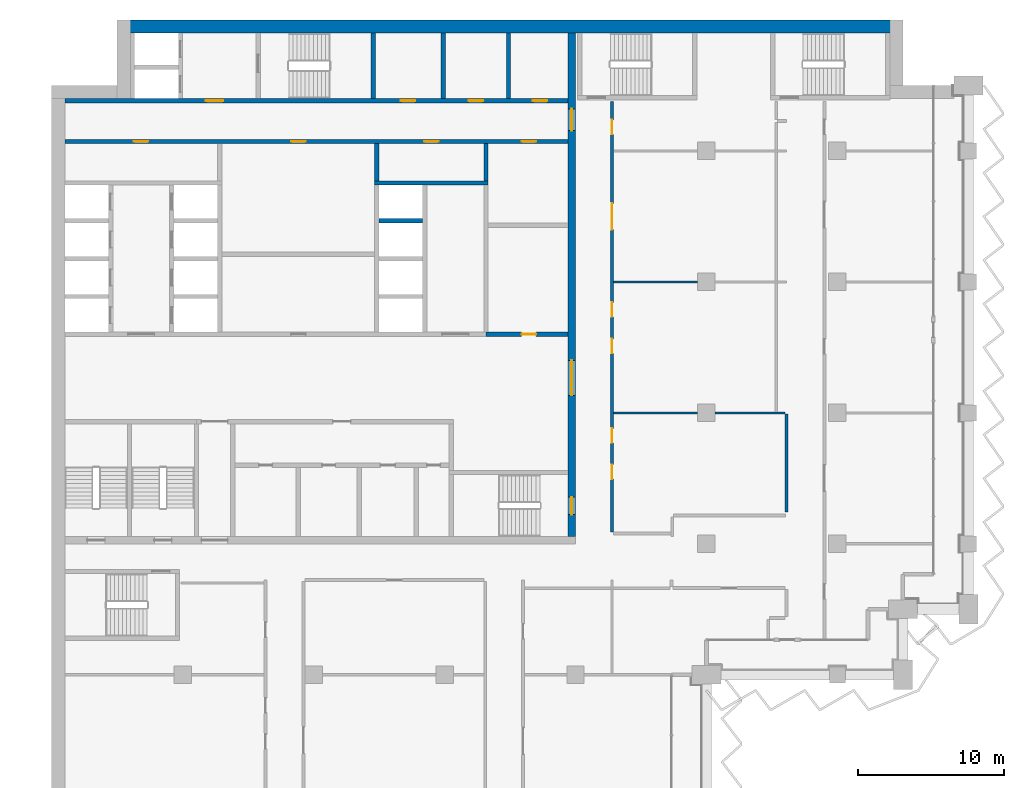
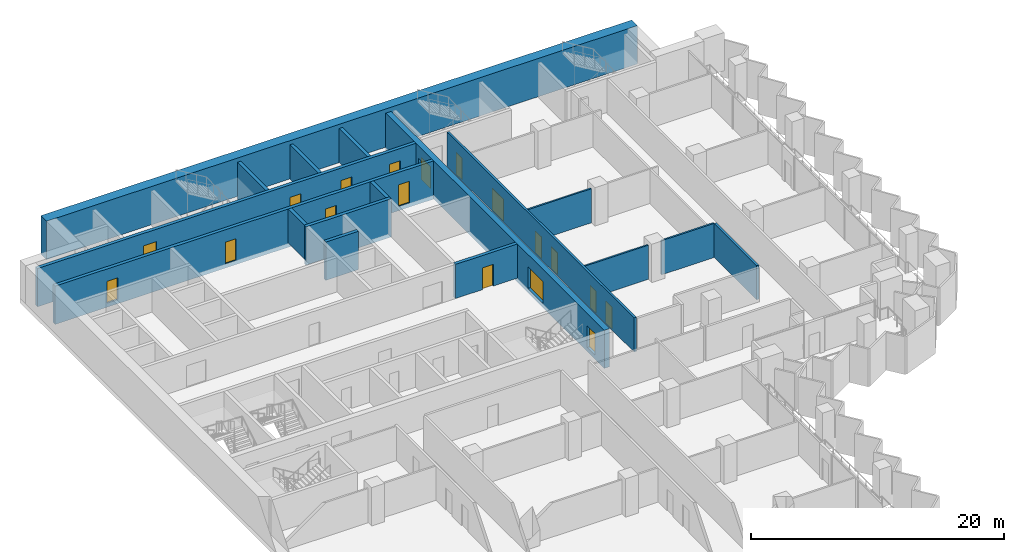
# One storey, part 13 of 22: 18 doors, 17 walls, 18 openings.
"""IFC4 building model written with IfcOpenShell, lengths in metres."""

from ifc_helpers import new_model, si_unit, direction, frame, frame_2d, origin, place, context, subcontext, project, spatial, rectangle, extrude, material, layer, layer_set, type_object, element, fill, save


model = new_model("IFC4")

# Units and contexts
model_context = context("Model", 3, precision=1e-05, world=origin(), true_north=direction((0.0, 1.0)))
body_context = subcontext(model_context, "Body", "Model", "MODEL_VIEW")
ifc_project = project(units=[si_unit("LENGTHUNIT", "METRE"), si_unit("AREAUNIT", "SQUARE_METRE"), si_unit("VOLUMEUNIT", "CUBIC_METRE"), si_unit("PLANEANGLEUNIT", "RADIAN"), si_unit("MASSUNIT", "GRAM", prefix="KILO")], contexts=[model_context])

# Site, building, storey
site_placement = place(None, origin())
site = spatial("IfcSite", under=ifc_project, at=site_placement, CompositionType="ELEMENT")
building_placement = place(site_placement, origin())
building = spatial("IfcBuilding", under=site, at=building_placement, Name="Hunhe Ridgeline Campus", CompositionType="ELEMENT")
storey_placement = place(building_placement, frame((0.0, 0.0, 163.39990234375)))
storey = spatial("IfcBuildingStorey", under=building, at=storey_placement, Name="L41", CompositionType="ELEMENT", Elevation=163.39990234375)

# Wall, opening, door
ifc_material_1 = material(Name="Masonry concrete blockwork", Category="masonry")
ifc_layer_1 = layer(ifc_material_1, 0.300048828125)
ifc_layer_set_1 = layer_set([ifc_layer_1], Name="Core room partition 300 concrete block")
wall_type_1 = type_object("IfcWallType", Name="Core room partition 300 concrete block", PredefinedType="PARTITIONING", material=ifc_layer_set_1)
wall_1_placement = place(storey_placement, frame((29.85009765625, 77.39990234375, 0.0), z_axis=(0.0, 0.0, 1.0), x_axis=(1.0, 0.0, 0.0)))
wall_1 = element("IfcWall", 1, at=wall_1_placement, inside=storey, type_object=wall_type_1, Name="L41 core partition 13", PredefinedType="PARTITIONING", context=body_context, shape_type="SweptSolid", body=[
    extrude(rectangle(XDim=5.64990234375, YDim=0.300048828125, at=frame_2d((2.824951171875, 0.0))), origin(), (0.0, 0.0, 1.0), 3.300048828125),
])
opening_1_placement = place(wall_1_placement, frame((2.449951171875, 0.0, 0.0)))
opening_1 = element("IfcOpeningElement", 2, at=opening_1_placement, cuts=wall_1, Name="Opening CD32", PredefinedType="OPENING", context=body_context, shape_type="SweptSolid", body=[
    extrude(rectangle(XDim=1.0, YDim=2.10009765625, at=frame_2d((0.5, 1.050048828125))), frame((0.0, 0.14990234375, 0.0), z_axis=(0.0, -1.0, 0.0), x_axis=(1.0, 0.0, 0.0)), (0.0, 0.0, 1.0), 0.300048828125),
])
ifc_material_2 = material(Name="Solid core timber door leaf", Category="wood")
door_type_1 = type_object("IfcDoorType", Name="Timber door 1000x2100", OperationType="SINGLE_SWING_LEFT", PredefinedType="DOOR", material=ifc_material_2)
door_1_placement = place(opening_1_placement, origin())
door_1 = element("IfcDoor", 3, at=door_1_placement, inside=storey, type_object=door_type_1, Name="L41 door ES0", OperationType="SINGLE_SWING_LEFT", OverallHeight=2.10009765625, OverallWidth=1.0, PredefinedType="DOOR", context=body_context, shape_type="SweptSolid", body=[
    extrude(rectangle(XDim=1.0, YDim=2.10009765625, at=frame_2d((0.5, 1.050048828125))), frame((0.0, 0.02490234375, 0.0), z_axis=(0.0, -1.0, 0.0), x_axis=(1.0, 0.0, 0.0)), (0.0, 0.0, 1.0), 0.050048828125),
])
fill(opening_1, door_1)

# Walls
wall_2_placement = place(storey_placement, frame((22.35009765625, 87.949951171875, 0.0), z_axis=(0.0, 0.0, 1.0), x_axis=(0.0, 1.0, 0.0)))
element("IfcWall", 4, at=wall_2_placement, inside=storey, type_object=wall_type_1, Name="L41 core partition 49", PredefinedType="PARTITIONING", context=body_context, shape_type="SweptSolid", body=[
    extrude(rectangle(XDim=2.550048828125, YDim=0.300048828125, at=frame_2d((1.27490234375, 0.0))), origin(), (0.0, 0.0, 1.0), 3.300048828125),
])
wall_3_placement = place(storey_placement, frame((26.89990234375, 93.60009765625, 0.0), z_axis=(0.0, 0.0, 1.0), x_axis=(0.0, 1.0, 0.0)))
element("IfcWall", 5, at=wall_3_placement, inside=storey, type_object=wall_type_1, Name="L41 core partition 53", PredefinedType="PARTITIONING", context=body_context, shape_type="SweptSolid", body=[
    extrude(rectangle(XDim=4.5, YDim=0.300048828125, at=frame_2d((2.25, 0.0))), origin(), (0.0, 0.0, 1.0), 3.300048828125),
])
wall_4_placement = place(storey_placement, frame((29.85009765625, 87.949951171875, 0.0), z_axis=(0.0, 0.0, 1.0), x_axis=(0.0, 1.0, 0.0)))
element("IfcWall", 6, at=wall_4_placement, inside=storey, type_object=wall_type_1, Name="L41 core partition 57", PredefinedType="PARTITIONING", context=body_context, shape_type="SweptSolid", body=[
    extrude(rectangle(XDim=2.550048828125, YDim=0.300048828125, at=frame_2d((1.27490234375, 0.0))), origin(), (0.0, 0.0, 1.0), 3.300048828125),
])
wall_5_placement = place(storey_placement, frame((31.39990234375, 93.60009765625, 0.0), z_axis=(0.0, 0.0, 1.0), x_axis=(0.0, 1.0, 0.0)))
element("IfcWall", 7, at=wall_5_placement, inside=storey, type_object=wall_type_1, Name="L41 core partition 58", PredefinedType="PARTITIONING", context=body_context, shape_type="SweptSolid", body=[
    extrude(rectangle(XDim=4.5, YDim=0.300048828125, at=frame_2d((2.25, 0.0))), origin(), (0.0, 0.0, 1.0), 3.300048828125),
])

# Wall, openings, doors
ifc_material_3 = material(Name="Concrete C70", Category="concrete")
ifc_layer_2 = layer(ifc_material_3, 0.5)
ifc_layer_set_2 = layer_set([ifc_layer_2], Name="Core wall 500 reinforced concrete C70")
wall_type_2 = type_object("IfcWallType", Name="Core wall 500 reinforced concrete C70", PredefinedType="SOLIDWALL", material=ifc_layer_set_2)
wall_6_placement = place(storey_placement, frame((35.75, 63.5, -0.39990234375), z_axis=(0.0, 0.0, 1.0), x_axis=(0.0, 1.0, 0.0)))
wall_6 = element("IfcWall", 8, at=wall_6_placement, inside=storey, type_object=wall_type_2, Name="L41 core wall 59", PredefinedType="SOLIDWALL", context=body_context, shape_type="SweptSolid", body=[
    extrude(rectangle(XDim=34.60009765625, YDim=0.5, at=frame_2d((17.300048828125, 0.0))), origin(), (0.0, 0.0, 1.0), 3.699951171875),
])
opening_2_placement = place(wall_6_placement, frame((9.699951171875, 0.0, 0.39990234375)))
opening_2 = element("IfcOpeningElement", 9, at=opening_2_placement, cuts=wall_6, Name="Opening CD4", PredefinedType="OPENING", context=body_context, shape_type="SweptSolid", body=[
    extrude(rectangle(XDim=2.39990234375, YDim=2.10009765625, at=frame_2d((1.199951171875, 1.050048828125))), frame((0.0, 0.25, 0.0), z_axis=(0.0, -1.0, 0.0), x_axis=(1.0, 0.0, 0.0)), (0.0, 0.0, 1.0), 0.5),
])
opening_3_placement = place(wall_6_placement, frame((27.89990234375, 0.0, 0.39990234375)))
opening_3 = element("IfcOpeningElement", 10, at=opening_3_placement, cuts=wall_6, Name="Opening CD5", PredefinedType="OPENING", context=body_context, shape_type="SweptSolid", body=[
    extrude(rectangle(XDim=1.5, YDim=2.10009765625, at=frame_2d((0.75, 1.050048828125))), frame((0.0, 0.25, 0.0), z_axis=(0.0, -1.0, 0.0), x_axis=(1.0, 0.0, 0.0)), (0.0, 0.0, 1.0), 0.5),
])
opening_4_placement = place(wall_6_placement, frame((1.5, 0.0, 0.39990234375)))
opening_4 = element("IfcOpeningElement", 11, at=opening_4_placement, cuts=wall_6, Name="Opening CD15", PredefinedType="OPENING", context=body_context, shape_type="SweptSolid", body=[
    extrude(rectangle(XDim=1.199951171875, YDim=2.10009765625, at=frame_2d((0.60009765625, 1.050048828125))), frame((0.0, 0.25, 0.0), z_axis=(0.0, -1.0, 0.0), x_axis=(1.0, 0.0, 0.0)), (0.0, 0.0, 1.0), 0.5),
])
ifc_material_4 = material(Name="Anodised aluminium and glass", Category="aluminium")
door_type_2 = type_object("IfcDoorType", Name="Glazed double door 2400x2100", OperationType="DOUBLE_DOOR_SINGLE_SWING", PredefinedType="DOOR", material=ifc_material_4)
door_2_placement = place(opening_2_placement, frame((2.39990234375, 0.0, 0.0), z_axis=(0.0, 0.0, 1.0), x_axis=(-1.0, 0.0, 0.0)))
door_2 = element("IfcDoor", 12, at=door_2_placement, inside=storey, type_object=door_type_2, Name="L41 door HALL-FLOOR", OperationType="DOUBLE_DOOR_SINGLE_SWING", OverallHeight=2.10009765625, OverallWidth=2.39990234375, PredefinedType="DOOR", context=body_context, shape_type="SweptSolid", body=[
    extrude(rectangle(XDim=2.39990234375, YDim=2.10009765625, at=frame_2d((1.199951171875, 1.050048828125))), frame((0.0, 0.02490234375, 0.0), z_axis=(0.0, -1.0, 0.0), x_axis=(1.0, 0.0, 0.0)), (0.0, 0.0, 1.0), 0.050048828125),
])
fill(opening_2, door_2)
ifc_material_5 = material(Name="Hollow metal fire door leaf")
door_type_3 = type_object("IfcDoorType", Name="Stair door 1200x2100 FD60", OperationType="SINGLE_SWING_LEFT", PredefinedType="DOOR", material=ifc_material_5)
door_3_placement = place(opening_4_placement, frame((1.199951171875, 0.0, 0.0), z_axis=(0.0, 0.0, 1.0), x_axis=(-1.0, 0.0, 0.0)))
door_3 = element("IfcDoor", 13, at=door_3_placement, inside=storey, type_object=door_type_3, Name="L41 door S2-FLOOR", OperationType="SINGLE_SWING_RIGHT", OverallHeight=2.10009765625, OverallWidth=1.199951171875, PredefinedType="DOOR", context=body_context, shape_type="SweptSolid", body=[
    extrude(rectangle(XDim=1.199951171875, YDim=2.10009765625, at=frame_2d((0.60009765625, 1.050048828125))), frame((0.0, 0.02490234375, 0.0), z_axis=(0.0, -1.0, 0.0), x_axis=(1.0, 0.0, 0.0)), (0.0, 0.0, 1.0), 0.050048828125),
])
fill(opening_4, door_3)
door_type_4 = type_object("IfcDoorType", Name="Timber door 1500x2100", OperationType="SINGLE_SWING_LEFT", PredefinedType="DOOR", material=ifc_material_2)
door_4_placement = place(opening_3_placement, frame((1.5, 0.0, 0.0), z_axis=(0.0, 0.0, 1.0), x_axis=(-1.0, 0.0, 0.0)))
door_4 = element("IfcDoor", 14, at=door_4_placement, inside=storey, type_object=door_type_4, Name="L41 door C1-FLOOR", OperationType="SINGLE_SWING_RIGHT", OverallHeight=2.10009765625, OverallWidth=1.5, PredefinedType="DOOR", context=body_context, shape_type="SweptSolid", body=[
    extrude(rectangle(XDim=1.5, YDim=2.10009765625, at=frame_2d((0.75, 1.050048828125))), frame((0.0, 0.02490234375, 0.0), z_axis=(0.0, -1.0, 0.0), x_axis=(1.0, 0.0, 0.0)), (0.0, 0.0, 1.0), 0.050048828125),
])
fill(opening_3, door_4)

ifc_material_6 = material(Name="Gypsum board partition")
ifc_layer_3 = layer(ifc_material_6, 0.199951171875)
ifc_layer_set_3 = layer_set([ifc_layer_3], Name="Corridor partition 200 gypsum board on steel studs")
wall_type_3 = type_object("IfcWallType", Name="Corridor partition 200 gypsum board on steel studs", PredefinedType="PARTITIONING", material=ifc_layer_set_3)
wall_7_placement = place(storey_placement, frame((38.5, 93.39599609375, 0.0), z_axis=(0.0, 0.0, 1.0), x_axis=(0.0, -1.0, 0.0)))
wall_7 = element("IfcWall", 15, at=wall_7_placement, inside=storey, type_object=wall_type_3, Name="F-L41-wall-064", PredefinedType="PARTITIONING", context=body_context, shape_type="SweptSolid", body=[
    extrude(rectangle(XDim=29.595947265625, YDim=0.199951171875, at=frame_2d((14.7978515625, 0.0))), origin(), (0.0, 0.0, 1.0), 3.300048828125),
])
opening_5_placement = place(wall_7_placement, frame((24.95751953125, 0.0, 0.0)))
opening_5 = element("IfcOpeningElement", 16, at=opening_5_placement, cuts=wall_7, Name="Opening RD1-030", PredefinedType="OPENING", context=body_context, shape_type="SweptSolid", body=[
    extrude(rectangle(XDim=1.0, YDim=2.10009765625, at=frame_2d((0.5, 1.050048828125))), frame((0.0, 0.10009765625, 0.0), z_axis=(0.0, -1.0, 0.0), x_axis=(1.0, 0.0, 0.0)), (0.0, 0.0, 1.0), 0.199951171875),
])
opening_6_placement = place(wall_7_placement, frame((22.45751953125, 0.0, 0.0)))
opening_6 = element("IfcOpeningElement", 17, at=opening_6_placement, cuts=wall_7, Name="Opening RD1-031", PredefinedType="OPENING", context=body_context, shape_type="SweptSolid", body=[
    extrude(rectangle(XDim=1.0, YDim=2.10009765625, at=frame_2d((0.5, 1.050048828125))), frame((0.0, 0.10009765625, 0.0), z_axis=(0.0, -1.0, 0.0), x_axis=(1.0, 0.0, 0.0)), (0.0, 0.0, 1.0), 0.199951171875),
])
opening_7_placement = place(wall_7_placement, frame((16.304443359375, 0.0, 0.0)))
opening_7 = element("IfcOpeningElement", 18, at=opening_7_placement, cuts=wall_7, Name="Opening RD1-032", PredefinedType="OPENING", context=body_context, shape_type="SweptSolid", body=[
    extrude(rectangle(XDim=1.0, YDim=2.10009765625, at=frame_2d((0.5, 1.050048828125))), frame((0.0, 0.10009765625, 0.0), z_axis=(0.0, -1.0, 0.0), x_axis=(1.0, 0.0, 0.0)), (0.0, 0.0, 1.0), 0.199951171875),
])
opening_8_placement = place(wall_7_placement, frame((13.804443359375, 0.0, 0.0)))
opening_8 = element("IfcOpeningElement", 19, at=opening_8_placement, cuts=wall_7, Name="Opening RD1-034", PredefinedType="OPENING", context=body_context, shape_type="SweptSolid", body=[
    extrude(rectangle(XDim=1.0, YDim=2.10009765625, at=frame_2d((0.5, 1.050048828125))), frame((0.0, 0.10009765625, 0.0), z_axis=(0.0, -1.0, 0.0), x_axis=(1.0, 0.0, 0.0)), (0.0, 0.0, 1.0), 0.199951171875),
])
opening_9_placement = place(wall_7_placement, frame((7.00048828125, 0.0, 0.0)))
opening_9 = element("IfcOpeningElement", 20, at=opening_9_placement, cuts=wall_7, Name="Opening RD2-035", PredefinedType="OPENING", context=body_context, shape_type="SweptSolid", body=[
    extrude(rectangle(XDim=1.800048828125, YDim=2.10009765625, at=frame_2d((0.89990234375, 1.050048828125))), frame((0.0, 0.10009765625, 0.0), z_axis=(0.0, -1.0, 0.0), x_axis=(1.0, 0.0, 0.0)), (0.0, 0.0, 1.0), 0.199951171875),
])
opening_10_placement = place(wall_7_placement, frame((1.255615234375, 0.0, 0.0)))
opening_10 = element("IfcOpeningElement", 21, at=opening_10_placement, cuts=wall_7, Name="Opening RD1-037", PredefinedType="OPENING", context=body_context, shape_type="SweptSolid", body=[
    extrude(rectangle(XDim=1.0, YDim=2.10009765625, at=frame_2d((0.5, 1.050048828125))), frame((0.0, 0.10009765625, 0.0), z_axis=(0.0, -1.0, 0.0), x_axis=(1.0, 0.0, 0.0)), (0.0, 0.0, 1.0), 0.199951171875),
])
ifc_material_7 = material(Name="Timber door leaf", Category="wood")
door_type_5 = type_object("IfcDoorType", Name="Double fire door 1800x2100 timber FD60", OperationType="DOUBLE_DOOR_SINGLE_SWING", PredefinedType="DOOR", material=ifc_material_7)
door_5_placement = place(opening_9_placement, origin())
door_5 = element("IfcDoor", 22, at=door_5_placement, inside=storey, type_object=door_type_5, Name="F-L41-door-035", OperationType="DOUBLE_DOOR_SINGLE_SWING", OverallHeight=2.10009765625, OverallWidth=1.800048828125, PredefinedType="DOOR", context=body_context, shape_type="SweptSolid", body=[
    extrude(rectangle(XDim=1.800048828125, YDim=2.10009765625, at=frame_2d((0.89990234375, 1.050048828125))), frame((0.0, 0.02490234375, 0.0), z_axis=(0.0, -1.0, 0.0), x_axis=(1.0, 0.0, 0.0)), (0.0, 0.0, 1.0), 0.050048828125),
])
fill(opening_9, door_5)
door_type_6 = type_object("IfcDoorType", Name="Single fire door 1000x2100 timber FD60", OperationType="NOTDEFINED", PredefinedType="DOOR", material=ifc_material_7)
door_6_placement = place(opening_5_placement, frame((1.0, 0.0, 0.0), z_axis=(0.0, 0.0, 1.0), x_axis=(-1.0, 0.0, 0.0)))
door_6 = element("IfcDoor", 23, at=door_6_placement, inside=storey, type_object=door_type_6, Name="F-L41-door-030", OperationType="SINGLE_SWING_LEFT", OverallHeight=2.10009765625, OverallWidth=1.0, PredefinedType="DOOR", context=body_context, shape_type="SweptSolid", body=[
    extrude(rectangle(XDim=1.0, YDim=2.10009765625, at=frame_2d((0.5, 1.050048828125))), frame((0.0, 0.02490234375, 0.0), z_axis=(0.0, -1.0, 0.0), x_axis=(1.0, 0.0, 0.0)), (0.0, 0.0, 1.0), 0.050048828125),
])
fill(opening_5, door_6)
door_7_placement = place(opening_6_placement, frame((1.0, 0.0, 0.0), z_axis=(0.0, 0.0, 1.0), x_axis=(-1.0, 0.0, 0.0)))
door_7 = element("IfcDoor", 24, at=door_7_placement, inside=storey, type_object=door_type_6, Name="F-L41-door-031", OperationType="SINGLE_SWING_RIGHT", OverallHeight=2.10009765625, OverallWidth=1.0, PredefinedType="DOOR", context=body_context, shape_type="SweptSolid", body=[
    extrude(rectangle(XDim=1.0, YDim=2.10009765625, at=frame_2d((0.5, 1.050048828125))), frame((0.0, 0.02490234375, 0.0), z_axis=(0.0, -1.0, 0.0), x_axis=(1.0, 0.0, 0.0)), (0.0, 0.0, 1.0), 0.050048828125),
])
fill(opening_6, door_7)
door_8_placement = place(opening_7_placement, frame((1.0, 0.0, 0.0), z_axis=(0.0, 0.0, 1.0), x_axis=(-1.0, 0.0, 0.0)))
door_8 = element("IfcDoor", 25, at=door_8_placement, inside=storey, type_object=door_type_6, Name="F-L41-door-032", OperationType="SINGLE_SWING_RIGHT", OverallHeight=2.10009765625, OverallWidth=1.0, PredefinedType="DOOR", context=body_context, shape_type="SweptSolid", body=[
    extrude(rectangle(XDim=1.0, YDim=2.10009765625, at=frame_2d((0.5, 1.050048828125))), frame((0.0, 0.02490234375, 0.0), z_axis=(0.0, -1.0, 0.0), x_axis=(1.0, 0.0, 0.0)), (0.0, 0.0, 1.0), 0.050048828125),
])
fill(opening_7, door_8)
door_9_placement = place(opening_8_placement, frame((1.0, 0.0, 0.0), z_axis=(0.0, 0.0, 1.0), x_axis=(-1.0, 0.0, 0.0)))
door_9 = element("IfcDoor", 26, at=door_9_placement, inside=storey, type_object=door_type_6, Name="F-L41-door-034", OperationType="SINGLE_SWING_RIGHT", OverallHeight=2.10009765625, OverallWidth=1.0, PredefinedType="DOOR", context=body_context, shape_type="SweptSolid", body=[
    extrude(rectangle(XDim=1.0, YDim=2.10009765625, at=frame_2d((0.5, 1.050048828125))), frame((0.0, 0.02490234375, 0.0), z_axis=(0.0, -1.0, 0.0), x_axis=(1.0, 0.0, 0.0)), (0.0, 0.0, 1.0), 0.050048828125),
])
fill(opening_8, door_9)
door_10_placement = place(opening_10_placement, origin())
door_10 = element("IfcDoor", 27, at=door_10_placement, inside=storey, type_object=door_type_6, Name="F-L41-door-037", OperationType="SINGLE_SWING_LEFT", OverallHeight=2.10009765625, OverallWidth=1.0, PredefinedType="DOOR", context=body_context, shape_type="SweptSolid", body=[
    extrude(rectangle(XDim=1.0, YDim=2.10009765625, at=frame_2d((0.5, 1.050048828125))), frame((0.0, 0.02490234375, 0.0), z_axis=(0.0, -1.0, 0.0), x_axis=(1.0, 0.0, 0.0)), (0.0, 0.0, 1.0), 0.050048828125),
])
fill(opening_10, door_10)

# Wall
wall_8_placement = place(storey_placement, frame((50.5, 65.193603515625, 0.0), z_axis=(0.0, 0.0, 1.0), x_axis=(0.0, 1.0, 0.0)))
element("IfcWall", 28, at=wall_8_placement, inside=storey, type_object=wall_type_3, Name="F-L41-wall-073", PredefinedType="PARTITIONING", context=body_context, shape_type="SweptSolid", body=[
    extrude(rectangle(XDim=6.7314453125, YDim=0.199951171875, at=frame_2d((3.36572265625, 0.0))), origin(), (0.0, 0.0, 1.0), 3.300048828125),
])

# Wall, openings, doors
ifc_layer_4 = layer(ifc_material_3, 0.300048828125)
ifc_layer_set_4 = layer_set([ifc_layer_4], Name="Lobby wall 300 reinforced concrete C70")
wall_type_4 = type_object("IfcWallType", Name="Lobby wall 300 reinforced concrete C70", PredefinedType="SOLIDWALL", material=ifc_layer_set_4)
wall_9_placement = place(storey_placement, frame((0.89990234375, 90.64990234375, -0.39990234375), z_axis=(0.0, 0.0, 1.0), x_axis=(1.0, 0.0, 0.0)))
wall_9 = element("IfcWall", 29, at=wall_9_placement, inside=storey, type_object=wall_type_4, Name="L41 core wall 27", PredefinedType="SOLIDWALL", context=body_context, shape_type="SweptSolid", body=[
    extrude(rectangle(XDim=34.60009765625, YDim=0.300048828125, at=frame_2d((17.300048828125, 0.0))), origin(), (0.0, 0.0, 1.0), 3.699951171875),
])
opening_11_placement = place(wall_9_placement, frame((4.75, 0.0, 0.39990234375)))
opening_11 = element("IfcOpeningElement", 30, at=opening_11_placement, cuts=wall_9, Name="Opening CD26", PredefinedType="OPENING", context=body_context, shape_type="SweptSolid", body=[
    extrude(rectangle(XDim=1.0, YDim=2.10009765625, at=frame_2d((0.5, 1.050048828125))), frame((0.0, 0.14990234375, 0.0), z_axis=(0.0, -1.0, 0.0), x_axis=(1.0, 0.0, 0.0)), (0.0, 0.0, 1.0), 0.300048828125),
])
opening_12_placement = place(wall_9_placement, frame((24.699951171875, 0.0, 0.39990234375)))
opening_12 = element("IfcOpeningElement", 31, at=opening_12_placement, cuts=wall_9, Name="Opening CD27", PredefinedType="OPENING", context=body_context, shape_type="SweptSolid", body=[
    extrude(rectangle(XDim=1.0, YDim=2.10009765625, at=frame_2d((0.5, 1.050048828125))), frame((0.0, 0.14990234375, 0.0), z_axis=(0.0, -1.0, 0.0), x_axis=(1.0, 0.0, 0.0)), (0.0, 0.0, 1.0), 0.300048828125),
])
opening_13_placement = place(wall_9_placement, frame((15.550048828125, 0.0, 0.39990234375)))
opening_13 = element("IfcOpeningElement", 32, at=opening_13_placement, cuts=wall_9, Name="Opening CD29", PredefinedType="OPENING", context=body_context, shape_type="SweptSolid", body=[
    extrude(rectangle(XDim=1.0, YDim=2.10009765625, at=frame_2d((0.5, 1.050048828125))), frame((0.0, 0.14990234375, 0.0), z_axis=(0.0, -1.0, 0.0), x_axis=(1.0, 0.0, 0.0)), (0.0, 0.0, 1.0), 0.300048828125),
])
opening_14_placement = place(wall_9_placement, frame((31.39990234375, 0.0, 0.39990234375)))
opening_14 = element("IfcOpeningElement", 33, at=opening_14_placement, cuts=wall_9, Name="Opening CD33", PredefinedType="OPENING", context=body_context, shape_type="SweptSolid", body=[
    extrude(rectangle(XDim=1.0, YDim=2.10009765625, at=frame_2d((0.5, 1.050048828125))), frame((0.0, 0.14990234375, 0.0), z_axis=(0.0, -1.0, 0.0), x_axis=(1.0, 0.0, 0.0)), (0.0, 0.0, 1.0), 0.300048828125),
])
door_11_placement = place(opening_11_placement, frame((1.0, 0.0, 0.0), z_axis=(0.0, 0.0, 1.0), x_axis=(-1.0, 0.0, 0.0)))
door_11 = element("IfcDoor", 34, at=door_11_placement, inside=storey, type_object=door_type_1, Name="L41 door NR-0", OperationType="SINGLE_SWING_LEFT", OverallHeight=2.10009765625, OverallWidth=1.0, PredefinedType="DOOR", context=body_context, shape_type="SweptSolid", body=[
    extrude(rectangle(XDim=1.0, YDim=2.10009765625, at=frame_2d((0.5, 1.050048828125))), frame((0.0, 0.02490234375, 0.0), z_axis=(0.0, -1.0, 0.0), x_axis=(1.0, 0.0, 0.0)), (0.0, 0.0, 1.0), 0.050048828125),
])
fill(opening_11, door_11)
door_12_placement = place(opening_12_placement, frame((1.0, 0.0, 0.0), z_axis=(0.0, 0.0, 1.0), x_axis=(-1.0, 0.0, 0.0)))
door_12 = element("IfcDoor", 35, at=door_12_placement, inside=storey, type_object=door_type_1, Name="L41 door NR-1", OperationType="SINGLE_SWING_RIGHT", OverallHeight=2.10009765625, OverallWidth=1.0, PredefinedType="DOOR", context=body_context, shape_type="SweptSolid", body=[
    extrude(rectangle(XDim=1.0, YDim=2.10009765625, at=frame_2d((0.5, 1.050048828125))), frame((0.0, 0.02490234375, 0.0), z_axis=(0.0, -1.0, 0.0), x_axis=(1.0, 0.0, 0.0)), (0.0, 0.0, 1.0), 0.050048828125),
])
fill(opening_12, door_12)
door_13_placement = place(opening_13_placement, frame((1.0, 0.0, 0.0), z_axis=(0.0, 0.0, 1.0), x_axis=(-1.0, 0.0, 0.0)))
door_13 = element("IfcDoor", 36, at=door_13_placement, inside=storey, type_object=door_type_1, Name="L41 door VD-HR1", OperationType="SINGLE_SWING_RIGHT", OverallHeight=2.10009765625, OverallWidth=1.0, PredefinedType="DOOR", context=body_context, shape_type="SweptSolid", body=[
    extrude(rectangle(XDim=1.0, YDim=2.10009765625, at=frame_2d((0.5, 1.050048828125))), frame((0.0, 0.02490234375, 0.0), z_axis=(0.0, -1.0, 0.0), x_axis=(1.0, 0.0, 0.0)), (0.0, 0.0, 1.0), 0.050048828125),
])
fill(opening_13, door_13)
door_14_placement = place(opening_14_placement, frame((1.0, 0.0, 0.0), z_axis=(0.0, 0.0, 1.0), x_axis=(-1.0, 0.0, 0.0)))
door_14 = element("IfcDoor", 37, at=door_14_placement, inside=storey, type_object=door_type_1, Name="L41 door ES1", OperationType="SINGLE_SWING_LEFT", OverallHeight=2.10009765625, OverallWidth=1.0, PredefinedType="DOOR", context=body_context, shape_type="SweptSolid", body=[
    extrude(rectangle(XDim=1.0, YDim=2.10009765625, at=frame_2d((0.5, 1.050048828125))), frame((0.0, 0.02490234375, 0.0), z_axis=(0.0, -1.0, 0.0), x_axis=(1.0, 0.0, 0.0)), (0.0, 0.0, 1.0), 0.050048828125),
])
fill(opening_14, door_14)

# Walls
ifc_layer_5 = layer(ifc_material_6, 0.14990234375)
ifc_layer_set_5 = layer_set([ifc_layer_5], Name="Room partition 150 gypsum board on steel studs")
wall_type_5 = type_object("IfcWallType", Name="Room partition 150 gypsum board on steel studs", PredefinedType="PARTITIONING", material=ifc_layer_set_5)
wall_10_placement = place(storey_placement, frame((38.60009765625, 72.0, 0.0), z_axis=(0.0, 0.0, 1.0), x_axis=(1.0, 0.0, 0.0)))
element("IfcWall", 38, at=wall_10_placement, inside=storey, type_object=wall_type_5, Name="F-L41-wall-045", PredefinedType="PARTITIONING", context=body_context, shape_type="SweptSolid", body=[
    extrude(rectangle(XDim=5.7998046875, YDim=0.14990234375, at=frame_2d((2.89990234375, 0.0))), origin(), (0.0, 0.0, 1.0), 3.300048828125),
])
wall_11_placement = place(storey_placement, frame((45.60009765625, 72.0, 0.0), z_axis=(0.0, 0.0, 1.0), x_axis=(1.0, 0.0, 0.0)))
element("IfcWall", 39, at=wall_11_placement, inside=storey, type_object=wall_type_5, Name="F-L41-wall-046", PredefinedType="PARTITIONING", context=body_context, shape_type="SweptSolid", body=[
    extrude(rectangle(XDim=4.7998046875, YDim=0.14990234375, at=frame_2d((2.39990234375, 0.0))), origin(), (0.0, 0.0, 1.0), 3.300048828125),
])
wall_12_placement = place(storey_placement, frame((38.60009765625, 81.0, 0.0), z_axis=(0.0, 0.0, 1.0), x_axis=(1.0, 0.0, 0.0)))
element("IfcWall", 40, at=wall_12_placement, inside=storey, type_object=wall_type_5, Name="F-L41-wall-048", PredefinedType="PARTITIONING", context=body_context, shape_type="SweptSolid", body=[
    extrude(rectangle(XDim=5.7998046875, YDim=0.14990234375, at=frame_2d((2.89990234375, 0.0))), origin(), (0.0, 0.0, 1.0), 3.300048828125),
])
ifc_layer_6 = layer(ifc_material_3, 0.300048828125)
ifc_layer_set_6 = layer_set([ifc_layer_6], Name="Shaft wall 300 reinforced concrete C70")
wall_type_6 = type_object("IfcWallType", Name="Shaft wall 300 reinforced concrete C70", PredefinedType="SOLIDWALL", material=ifc_layer_set_6)
wall_13_placement = place(storey_placement, frame((22.5, 85.199951171875, -0.39990234375), z_axis=(0.0, 0.0, 1.0), x_axis=(1.0, 0.0, 0.0)))
element("IfcWall", 41, at=wall_13_placement, inside=storey, type_object=wall_type_6, Name="L41 core wall 24", PredefinedType="SOLIDWALL", context=body_context, shape_type="SweptSolid", body=[
    extrude(rectangle(XDim=3.0, YDim=0.300048828125, at=frame_2d((1.5, 0.0))), origin(), (0.0, 0.0, 1.0), 3.699951171875),
])
wall_14_placement = place(storey_placement, frame((22.199951171875, 87.800048828125, -0.39990234375), z_axis=(0.0, 0.0, 1.0), x_axis=(1.0, 0.0, 0.0)))
element("IfcWall", 42, at=wall_14_placement, inside=storey, type_object=wall_type_6, Name="L41 core wall 26", PredefinedType="SOLIDWALL", context=body_context, shape_type="SweptSolid", body=[
    extrude(rectangle(XDim=7.800048828125, YDim=0.300048828125, at=frame_2d((3.89990234375, 0.0))), origin(), (0.0, 0.0, 1.0), 3.699951171875),
])

# Wall, openings, doors
wall_15_placement = place(storey_placement, frame((0.89990234375, 93.449951171875, -0.39990234375), z_axis=(0.0, 0.0, 1.0), x_axis=(1.0, 0.0, 0.0)))
wall_15 = element("IfcWall", 43, at=wall_15_placement, inside=storey, type_object=wall_type_6, Name="L41 core wall 28", PredefinedType="SOLIDWALL", context=body_context, shape_type="SweptSolid", body=[
    extrude(rectangle(XDim=34.60009765625, YDim=0.300048828125, at=frame_2d((17.300048828125, 0.0))), origin(), (0.0, 0.0, 1.0), 3.699951171875),
])
opening_15_placement = place(wall_15_placement, frame((9.699951171875, 0.0, 0.39990234375)))
opening_15 = element("IfcOpeningElement", 44, at=opening_15_placement, cuts=wall_15, Name="Opening CD3", PredefinedType="OPENING", context=body_context, shape_type="SweptSolid", body=[
    extrude(rectangle(XDim=1.199951171875, YDim=2.10009765625, at=frame_2d((0.60009765625, 1.050048828125))), frame((0.0, 0.14990234375, 0.0), z_axis=(0.0, -1.0, 0.0), x_axis=(1.0, 0.0, 0.0)), (0.0, 0.0, 1.0), 0.300048828125),
])
opening_16_placement = place(wall_15_placement, frame((23.10009765625, 0.0, 0.39990234375)))
opening_16 = element("IfcOpeningElement", 45, at=opening_16_placement, cuts=wall_15, Name="Opening CD34", PredefinedType="OPENING", context=body_context, shape_type="SweptSolid", body=[
    extrude(rectangle(XDim=1.0, YDim=2.10009765625, at=frame_2d((0.5, 1.050048828125))), frame((0.0, 0.14990234375, 0.0), z_axis=(0.0, -1.0, 0.0), x_axis=(1.0, 0.0, 0.0)), (0.0, 0.0, 1.0), 0.300048828125),
])
opening_17_placement = place(wall_15_placement, frame((27.75, 0.0, 0.39990234375)))
opening_17 = element("IfcOpeningElement", 46, at=opening_17_placement, cuts=wall_15, Name="Opening CD35", PredefinedType="OPENING", context=body_context, shape_type="SweptSolid", body=[
    extrude(rectangle(XDim=1.0, YDim=2.10009765625, at=frame_2d((0.5, 1.050048828125))), frame((0.0, 0.14990234375, 0.0), z_axis=(0.0, -1.0, 0.0), x_axis=(1.0, 0.0, 0.0)), (0.0, 0.0, 1.0), 0.300048828125),
])
opening_18_placement = place(wall_15_placement, frame((32.175048828125, 0.0, 0.39990234375)))
opening_18 = element("IfcOpeningElement", 47, at=opening_18_placement, cuts=wall_15, Name="Opening CD36", PredefinedType="OPENING", context=body_context, shape_type="SweptSolid", body=[
    extrude(rectangle(XDim=1.0, YDim=2.10009765625, at=frame_2d((0.5, 1.050048828125))), frame((0.0, 0.14990234375, 0.0), z_axis=(0.0, -1.0, 0.0), x_axis=(1.0, 0.0, 0.0)), (0.0, 0.0, 1.0), 0.300048828125),
])
door_type_7 = type_object("IfcDoorType", Name="Lobby door 1200x2100 FD60", OperationType="SINGLE_SWING_LEFT", PredefinedType="DOOR", material=ifc_material_5)
door_15_placement = place(opening_15_placement, frame((1.199951171875, 0.0, 0.0), z_axis=(0.0, 0.0, 1.0), x_axis=(-1.0, 0.0, 0.0)))
door_15 = element("IfcDoor", 48, at=door_15_placement, inside=storey, type_object=door_type_7, Name="L41 door FF-C1", OperationType="SINGLE_SWING_LEFT", OverallHeight=2.10009765625, OverallWidth=1.199951171875, PredefinedType="DOOR", context=body_context, shape_type="SweptSolid", body=[
    extrude(rectangle(XDim=1.199951171875, YDim=2.10009765625, at=frame_2d((0.60009765625, 1.050048828125))), frame((0.0, 0.02490234375, 0.0), z_axis=(0.0, -1.0, 0.0), x_axis=(1.0, 0.0, 0.0)), (0.0, 0.0, 1.0), 0.050048828125),
])
fill(opening_15, door_15)
door_16_placement = place(opening_16_placement, origin())
door_16 = element("IfcDoor", 49, at=door_16_placement, inside=storey, type_object=door_type_1, Name="L41 door NB0", OperationType="SINGLE_SWING_LEFT", OverallHeight=2.10009765625, OverallWidth=1.0, PredefinedType="DOOR", context=body_context, shape_type="SweptSolid", body=[
    extrude(rectangle(XDim=1.0, YDim=2.10009765625, at=frame_2d((0.5, 1.050048828125))), frame((0.0, 0.02490234375, 0.0), z_axis=(0.0, -1.0, 0.0), x_axis=(1.0, 0.0, 0.0)), (0.0, 0.0, 1.0), 0.050048828125),
])
fill(opening_16, door_16)
door_17_placement = place(opening_17_placement, origin())
door_17 = element("IfcDoor", 50, at=door_17_placement, inside=storey, type_object=door_type_1, Name="L41 door NB1", OperationType="SINGLE_SWING_RIGHT", OverallHeight=2.10009765625, OverallWidth=1.0, PredefinedType="DOOR", context=body_context, shape_type="SweptSolid", body=[
    extrude(rectangle(XDim=1.0, YDim=2.10009765625, at=frame_2d((0.5, 1.050048828125))), frame((0.0, 0.02490234375, 0.0), z_axis=(0.0, -1.0, 0.0), x_axis=(1.0, 0.0, 0.0)), (0.0, 0.0, 1.0), 0.050048828125),
])
fill(opening_17, door_17)
door_18_placement = place(opening_18_placement, origin())
door_18 = element("IfcDoor", 51, at=door_18_placement, inside=storey, type_object=door_type_1, Name="L41 door NB2", OperationType="SINGLE_SWING_LEFT", OverallHeight=2.10009765625, OverallWidth=1.0, PredefinedType="DOOR", context=body_context, shape_type="SweptSolid", body=[
    extrude(rectangle(XDim=1.0, YDim=2.10009765625, at=frame_2d((0.5, 1.050048828125))), frame((0.0, 0.02490234375, 0.0), z_axis=(0.0, -1.0, 0.0), x_axis=(1.0, 0.0, 0.0)), (0.0, 0.0, 1.0), 0.050048828125),
])
fill(opening_18, door_18)

# Walls
ifc_layer_7 = layer(ifc_material_3, 0.89990234375)
ifc_layer_set_7 = layer_set([ifc_layer_7], Name="Spine wall 900 Concrete C70")
wall_type_7 = type_object("IfcWallType", Name="Spine wall 900 Concrete C70", PredefinedType="SHEAR", material=ifc_layer_set_7)
wall_16_placement = place(storey_placement, frame((58.5, 98.550048828125, 0.0), z_axis=(0.0, 0.0, 1.0), x_axis=(-1.0, 0.0, 0.0)))
element("IfcWall", 52, at=wall_16_placement, inside=storey, type_object=wall_type_7, Name="Spine wall SW2-4 L41", PredefinedType="SHEAR", context=body_context, shape_type="SweptSolid", body=[
    extrude(rectangle(XDim=54.0, YDim=0.89990234375, at=frame_2d((27.0, 0.0))), origin(), (0.0, 0.0, 1.0), 3.7001953125),
])
ifc_layer_8 = layer(ifc_material_3, 0.300048828125)
ifc_layer_set_8 = layer_set([ifc_layer_8], Name="Stair wall 300 reinforced concrete C70")
wall_type_8 = type_object("IfcWallType", Name="Stair wall 300 reinforced concrete C70", PredefinedType="SOLIDWALL", material=ifc_layer_set_8)
wall_17_placement = place(storey_placement, frame((22.10009765625, 93.60009765625, -0.39990234375), z_axis=(0.0, 0.0, 1.0), x_axis=(0.0, 1.0, 0.0)))
element("IfcWall", 53, at=wall_17_placement, inside=storey, type_object=wall_type_8, Name="L41 core wall 47", PredefinedType="SOLIDWALL", context=body_context, shape_type="SweptSolid", body=[
    extrude(rectangle(XDim=4.5, YDim=0.300048828125, at=frame_2d((2.25, 0.0))), origin(), (0.0, 0.0, 1.0), 3.699951171875),
])

save(model, "model.ifc")
